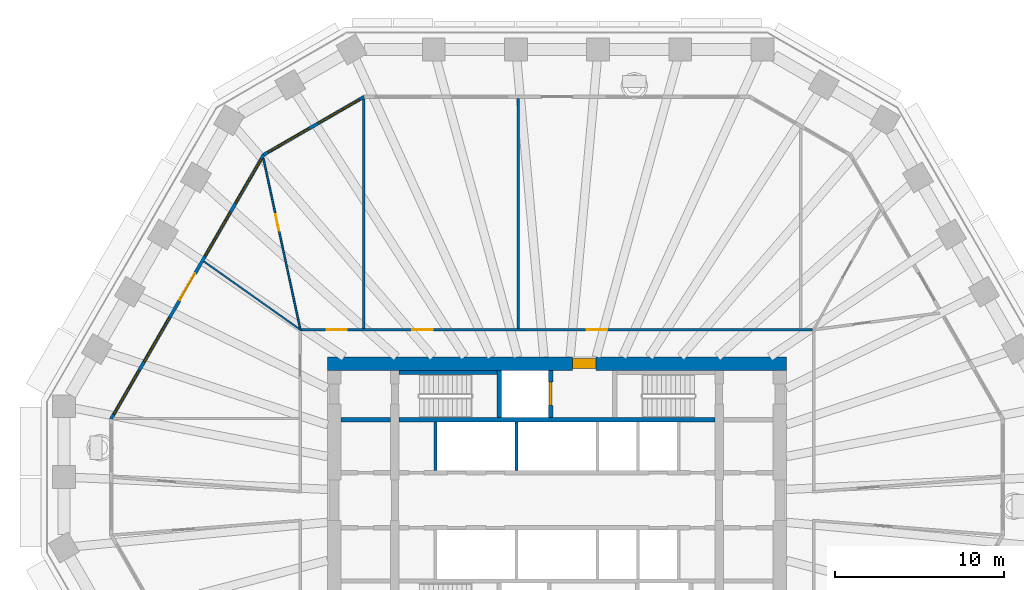
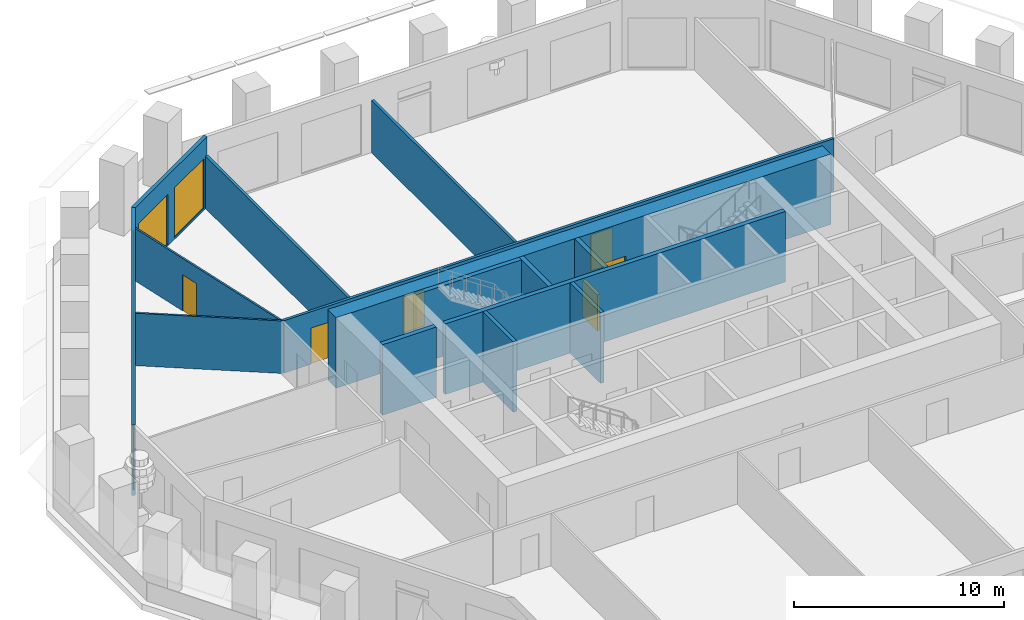
# One storey, part 6 of 12: 15 walls, 7 doors, 7 windows, 14 openings.
"""IFC4 building model written with IfcOpenShell, lengths in metres."""

from ifc_helpers import new_model, si_unit, direction, frame, frame_2d, origin, place, context, subcontext, project, spatial, polyline, rectangle, outline, extrude, material, layer, layer_set, type_object, element, fill, save


model = new_model("IFC4")

# Units and contexts
model_context = context("Model", 3, precision=1e-05, world=origin(), true_north=direction((0.0, 1.0)))
body_context = subcontext(model_context, "Body", "Model", "MODEL_VIEW")
ifc_project = project(units=[si_unit("LENGTHUNIT", "METRE"), si_unit("AREAUNIT", "SQUARE_METRE"), si_unit("VOLUMEUNIT", "CUBIC_METRE"), si_unit("PLANEANGLEUNIT", "RADIAN"), si_unit("MASSUNIT", "GRAM", prefix="KILO")], contexts=[model_context])

# Site, building, storey
site_placement = place(None, origin())
site = spatial("IfcSite", under=ifc_project, at=site_placement, CompositionType="ELEMENT")
building_placement = place(site_placement, origin())
building = spatial("IfcBuilding", under=site, at=building_placement, Name="Frailejon Research Tower", CompositionType="ELEMENT")
storey_placement = place(building_placement, frame((0.0, 0.0, 126.39990234375)))
storey = spatial("IfcBuildingStorey", under=building, at=storey_placement, Name="L27", CompositionType="ELEMENT", Elevation=126.39990234375)

# Wall, opening, door
ifc_material_1 = material(Name="Concrete C70/85", Category="concrete")
ifc_layer_1 = layer(ifc_material_1, 0.800048828125)
ifc_layer_set_1 = layer_set([ifc_layer_1], Name="Core shear wall 800 C70/85")
wall_type_1 = type_object("IfcWallType", Name="Core shear wall 800 C70/85", PredefinedType="SHEAR", material=ifc_layer_set_1)
wall_1_placement = place(storey_placement, frame((-13.60009765625, 8.10009765625, 0.0), z_axis=(0.0, 0.0, 1.0), x_axis=(1.0, 0.0, 0.0)))
wall_1 = element("IfcWall", 1, at=wall_1_placement, inside=storey, type_object=wall_type_1, Name="Core shear wall", PredefinedType="SHEAR", context=body_context, shape_type="SweptSolid", body=[
    extrude(rectangle(XDim=27.2001953125, YDim=0.800048828125, at=frame_2d((13.60009765625, 0.0))), origin(), (0.0, 0.0, 1.0), 4.10009765625),
])
opening_1_placement = place(wall_1_placement, frame((14.52490234375, 0.0, 0.0)))
opening_1 = element("IfcOpeningElement", 2, at=opening_1_placement, cuts=wall_1, Name="Opening D9", PredefinedType="OPENING", context=body_context, shape_type="SweptSolid", body=[
    extrude(rectangle(XDim=1.39990234375, YDim=2.10009765625, at=frame_2d((0.699951171875, 1.050048828125))), frame((0.0, 0.409912109375, 0.0), z_axis=(0.0, -1.0, 0.0), x_axis=(1.0, 0.0, 0.0)), (0.0, 0.0, 1.0), 0.820068359375),
])
ifc_material_2 = material(Name="Steel", Category="steel")
door_type_1 = type_object("IfcDoorType", Name="Goods lobby door", OperationType="DOUBLE_DOOR_SINGLE_SWING", PredefinedType="DOOR", material=ifc_material_2)
door_1_placement = place(opening_1_placement, origin())
door_1 = element("IfcDoor", 3, at=door_1_placement, inside=storey, type_object=door_type_1, Name="Goods lobby door", OperationType="DOUBLE_DOOR_SINGLE_SWING", OverallHeight=2.10009765625, OverallWidth=1.39990234375, PredefinedType="DOOR", context=body_context, shape_type="SweptSolid", body=[
    extrude(rectangle(XDim=1.39990234375, YDim=2.10009765625, at=frame_2d((0.699951171875, 1.050048828125))), frame((0.0, 0.300048828125, 0.0), z_axis=(0.0, -1.0, 0.0), x_axis=(1.0, 0.0, 0.0)), (0.0, 0.0, 1.0), 0.60009765625),
])
fill(opening_1, door_1)

# Wall, openings, doors
ifc_material_3 = material(Name="Gypsum board and masonry partition", Category="masonry")
ifc_layer_2 = layer(ifc_material_3, 0.14990234375)
ifc_layer_set_2 = layer_set([ifc_layer_2], Name="Corridor wall EI 60, gypsum on steel studs 150")
wall_type_2 = type_object("IfcWallType", Name="Corridor wall EI 60, gypsum on steel studs 150", PredefinedType="PARTITIONING", material=ifc_layer_set_2)
wall_2_placement = place(storey_placement, frame((-15.125, 10.10009765625, 0.0), z_axis=(0.0, 0.0, 1.0), x_axis=(1.0, 0.0, 0.0)))
wall_2 = element("IfcWall", 4, at=wall_2_placement, inside=storey, type_object=wall_type_2, Name="T:IW:L27:005", PredefinedType="PARTITIONING", context=body_context, shape_type="SweptSolid", body=[
    extrude(rectangle(XDim=30.25, YDim=0.14990234375, at=frame_2d((15.125, 0.0))), origin(), (0.0, 0.0, 1.0), 3.050048828125),
])
opening_2_placement = place(wall_2_placement, frame((16.895263671875, 0.0, 0.0)))
opening_2 = element("IfcOpeningElement", 5, at=opening_2_placement, cuts=wall_2, Name="Opening D1650", PredefinedType="OPENING", context=body_context, shape_type="SweptSolid", body=[
    extrude(rectangle(XDim=1.199951171875, YDim=2.10009765625, at=frame_2d((0.60009765625, 1.050048828125))), frame((0.0, 0.0849609375, 0.0), z_axis=(0.0, -1.0, 0.0), x_axis=(1.0, 0.0, 0.0)), (0.0, 0.0, 1.0), 0.169921875),
])
opening_3_placement = place(wall_2_placement, frame((6.563720703125, 0.0, 0.0)))
opening_3 = element("IfcOpeningElement", 6, at=opening_3_placement, cuts=wall_2, Name="Opening D1651", PredefinedType="OPENING", context=body_context, shape_type="SweptSolid", body=[
    extrude(rectangle(XDim=1.199951171875, YDim=2.10009765625, at=frame_2d((0.60009765625, 1.050048828125))), frame((0.0, 0.0849609375, 0.0), z_axis=(0.0, -1.0, 0.0), x_axis=(1.0, 0.0, 0.0)), (0.0, 0.0, 1.0), 0.169921875),
])
opening_4_placement = place(wall_2_placement, frame((1.4755859375, 0.0, 0.0)))
opening_4 = element("IfcOpeningElement", 7, at=opening_4_placement, cuts=wall_2, Name="Opening D1652", PredefinedType="OPENING", context=body_context, shape_type="SweptSolid", body=[
    extrude(rectangle(XDim=1.199951171875, YDim=2.10009765625, at=frame_2d((0.60009765625, 1.050048828125))), frame((0.0, 0.0849609375, 0.0), z_axis=(0.0, -1.0, 0.0), x_axis=(1.0, 0.0, 0.0)), (0.0, 0.0, 1.0), 0.169921875),
])
ifc_material_4 = material(Name="Timber door leaf", Category="wood")
door_type_2 = type_object("IfcDoorType", Name="Door laboratory, timber, vision panel 1200", OperationType="NOTDEFINED", PredefinedType="DOOR", material=ifc_material_4)
door_2_placement = place(opening_2_placement, origin())
door_2 = element("IfcDoor", 8, at=door_2_placement, inside=storey, type_object=door_type_2, Name="D1650", OperationType="DOUBLE_DOOR_SINGLE_SWING", OverallHeight=2.10009765625, OverallWidth=1.199951171875, PredefinedType="DOOR", context=body_context, shape_type="SweptSolid", body=[
    extrude(rectangle(XDim=1.199951171875, YDim=2.10009765625, at=frame_2d((0.60009765625, 1.050048828125))), frame((0.0, 0.02490234375, 0.0), z_axis=(0.0, -1.0, 0.0), x_axis=(1.0, 0.0, 0.0)), (0.0, 0.0, 1.0), 0.050048828125),
])
fill(opening_2, door_2)
door_3_placement = place(opening_3_placement, origin())
door_3 = element("IfcDoor", 9, at=door_3_placement, inside=storey, type_object=door_type_2, Name="D1651", OperationType="DOUBLE_DOOR_SINGLE_SWING", OverallHeight=2.10009765625, OverallWidth=1.199951171875, PredefinedType="DOOR", context=body_context, shape_type="SweptSolid", body=[
    extrude(rectangle(XDim=1.199951171875, YDim=2.10009765625, at=frame_2d((0.60009765625, 1.050048828125))), frame((0.0, 0.02490234375, 0.0), z_axis=(0.0, -1.0, 0.0), x_axis=(1.0, 0.0, 0.0)), (0.0, 0.0, 1.0), 0.050048828125),
])
fill(opening_3, door_3)
ifc_material_5 = material(Name="Timber door leaf", Category="wood")
door_type_3 = type_object("IfcDoorType", Name="Door single leaf, timber, steel frame 1200", OperationType="NOTDEFINED", PredefinedType="DOOR", material=ifc_material_5)
door_4_placement = place(opening_4_placement, origin())
door_4 = element("IfcDoor", 10, at=door_4_placement, inside=storey, type_object=door_type_3, Name="D1652", OperationType="DOUBLE_DOOR_SINGLE_SWING", OverallHeight=2.10009765625, OverallWidth=1.199951171875, PredefinedType="DOOR", context=body_context, shape_type="SweptSolid", body=[
    extrude(rectangle(XDim=1.199951171875, YDim=2.10009765625, at=frame_2d((0.60009765625, 1.050048828125))), frame((0.0, 0.02490234375, 0.0), z_axis=(0.0, -1.0, 0.0), x_axis=(1.0, 0.0, 0.0)), (0.0, 0.0, 1.0), 0.050048828125),
])
fill(opening_4, door_4)

# Walls
ifc_material_6 = material(Name="Gypsum board and masonry partition", Category="masonry")
ifc_layer_3 = layer(ifc_material_6, 0.14990234375)
ifc_layer_set_3 = layer_set([ifc_layer_3], Name="Laboratory partition, blockwork 150")
wall_type_3 = type_object("IfcWallType", Name="Laboratory partition, blockwork 150", PredefinedType="PARTITIONING", material=ifc_layer_set_3)
wall_3_placement = place(storey_placement, frame((-2.29052734375, 10.175048828125, 0.0), z_axis=(0.0, 0.0, 1.0), x_axis=(0.0, 1.0, 0.0)))
element("IfcWall", 11, at=wall_3_placement, inside=storey, type_object=wall_type_3, Name="T:IW:L27:013", PredefinedType="PARTITIONING", context=body_context, shape_type="SweptSolid", body=[
    extrude(rectangle(XDim=13.625, YDim=0.14990234375, at=frame_2d((6.8125, 0.0))), origin(), (0.0, 0.0, 1.0), 3.050048828125),
])
wall_4_placement = place(storey_placement, frame((-11.453125, 10.175048828125, 0.0), z_axis=(0.0, 0.0, 1.0), x_axis=(0.0, 1.0, 0.0)))
element("IfcWall", 12, at=wall_4_placement, inside=storey, type_object=wall_type_3, Name="T:IW:L27:014", PredefinedType="PARTITIONING", context=body_context, shape_type="SweptSolid", body=[
    extrude(rectangle(XDim=13.593994140625, YDim=0.14990234375, at=frame_2d((6.796875, 0.0))), origin(), (0.0, 0.0, 1.0), 3.050048828125),
])

# Wall, opening, door
ifc_material_7 = material(Name="Gypsum board and masonry partition", Category="masonry")
ifc_layer_4 = layer(ifc_material_7, 0.10009765625)
ifc_layer_set_4 = layer_set([ifc_layer_4], Name="Partition, gypsum on steel studs 100")
wall_type_4 = type_object("IfcWallType", Name="Partition, gypsum on steel studs 100", PredefinedType="PARTITIONING", material=ifc_layer_set_4)
wall_5_placement = place(storey_placement, frame((-17.39013671875, 20.244873046875, 0.0), z_axis=(0.0, 0.0, 1.0), x_axis=(0.211012362952, -0.977483392535, 0.0)))
wall_5 = element("IfcWall", 13, at=wall_5_placement, inside=storey, type_object=wall_type_4, Name="T:IW:L27:020", PredefinedType="PARTITIONING", context=body_context, shape_type="SweptSolid", body=[
    extrude(rectangle(XDim=10.32861328125, YDim=0.10009765625, at=frame_2d((5.164306640625, 0.0))), origin(), (0.0, 0.0, 1.0), 3.050048828125),
])
opening_5_placement = place(wall_5_placement, frame((3.387451171875, 0.0, 0.0)))
opening_5 = element("IfcOpeningElement", 14, at=opening_5_placement, cuts=wall_5, Name="Opening D1653", PredefinedType="OPENING", context=body_context, shape_type="SweptSolid", body=[
    extrude(rectangle(XDim=1.0, YDim=2.10009765625, at=frame_2d((0.5, 1.050048828125))), frame((0.0, 0.06005859375, 0.0), z_axis=(0.0, -1.0, 0.0), x_axis=(1.0, 0.0, 0.0)), (0.0, 0.0, 1.0), 0.1201171875),
])
ifc_material_8 = material(Name="Timber door leaf", Category="wood")
door_type_4 = type_object("IfcDoorType", Name="Door single leaf, timber, steel frame 1000", OperationType="NOTDEFINED", PredefinedType="DOOR", material=ifc_material_8)
door_5_placement = place(opening_5_placement, origin())
door_5 = element("IfcDoor", 15, at=door_5_placement, inside=storey, type_object=door_type_4, Name="D1653", OperationType="SINGLE_SWING_RIGHT", OverallHeight=2.10009765625, OverallWidth=1.0, PredefinedType="DOOR", context=body_context, shape_type="SweptSolid", body=[
    extrude(rectangle(XDim=1.0, YDim=2.10009765625, at=frame_2d((0.5, 1.050048828125))), frame((0.0, 0.02490234375, 0.0), z_axis=(0.0, -1.0, 0.0), x_axis=(1.0, 0.0, 0.0)), (0.0, 0.0, 1.0), 0.050048828125),
])
fill(opening_5, door_5)

# Walls
wall_6_placement = place(storey_placement, frame((-20.912353515625, 14.144287109375, 0.0), z_axis=(0.0, 0.0, 1.0), x_axis=(0.816149265307, -0.577841134516, 0.0)))
element("IfcWall", 16, at=wall_6_placement, inside=storey, type_object=wall_type_4, Name="T:IW:L27:021", PredefinedType="PARTITIONING", context=body_context, shape_type="SweptSolid", body=[
    extrude(rectangle(XDim=7.073974609375, YDim=0.10009765625, at=frame_2d((3.537109375, 0.0))), origin(), (0.0, 0.0, 1.0), 3.050048828125),
])
ifc_material_9 = material(Name="Concrete C70/85", Category="concrete")
ifc_layer_5 = layer(ifc_material_9, 0.199951171875)
ifc_layer_set_5 = layer_set([ifc_layer_5], Name="Shaft wall 200 C70/85")
wall_type_5 = type_object("IfcWallType", Name="Shaft wall 200 C70/85", PredefinedType="SOLIDWALL", material=ifc_layer_set_5)
for number, where, z_axis, x_axis, name in (
    (17, (-7.199951171875, 1.75, 0.0), (0.0, 0.0, 1.0), (0.0, 1.0, 0.0), "Shaft wall"),
    (18, (-2.39990234375, 1.75, 0.0), (0.0, 0.0, 1.0), (0.0, 1.0, 0.0), "Shaft wall"),
):
    element("IfcWall", number, at=place(storey_placement, frame(where, z_axis=z_axis, x_axis=x_axis)), inside=storey, type_object=wall_type_5, Name=name, PredefinedType="SOLIDWALL", context=body_context, shape_type="SweptSolid", body=[
        extrude(rectangle(XDim=2.89990234375, YDim=0.199951171875, at=frame_2d((1.449951171875, 0.0))), origin(), (0.0, 0.0, 1.0), 4.10009765625),
    ])
ifc_material_10 = material(Name="Concrete C70/85", Category="concrete")
ifc_layer_6 = layer(ifc_material_10, 0.25)
ifc_layer_set_6 = layer_set([ifc_layer_6], Name="Shaft wall 250 C70/85")
wall_type_6 = type_object("IfcWallType", Name="Shaft wall 250 C70/85", PredefinedType="SOLIDWALL", material=ifc_layer_set_6)
wall_7_placement = place(storey_placement, frame((-12.800048828125, 4.77490234375, 0.0), z_axis=(0.0, 0.0, 1.0), x_axis=(1.0, 0.0, 0.0)))
element("IfcWall", 19, at=wall_7_placement, inside=storey, type_object=wall_type_6, Name="Shaft wall", PredefinedType="SOLIDWALL", context=body_context, shape_type="SweptSolid", body=[
    extrude(rectangle(XDim=2.949951171875, YDim=0.25, at=frame_2d((1.47509765625, 0.0))), origin(), (0.0, 0.0, 1.0), 4.10009765625),
])
wall_8_placement = place(storey_placement, frame((-9.35009765625, 4.77490234375, 0.0), z_axis=(0.0, 0.0, 1.0), x_axis=(1.0, 0.0, 0.0)))
element("IfcWall", 20, at=wall_8_placement, inside=storey, type_object=wall_type_6, Name="Shaft wall", PredefinedType="SOLIDWALL", context=body_context, shape_type="SweptSolid", body=[
    extrude(rectangle(XDim=18.7001953125, YDim=0.25, at=frame_2d((9.35009765625, 0.0))), origin(), (0.0, 0.0, 1.0), 4.10009765625),
])
wall_9_placement = place(storey_placement, frame((-9.35009765625, 7.574951171875, 0.0), z_axis=(0.0, 0.0, 1.0), x_axis=(1.0, 0.0, 0.0)))
element("IfcWall", 21, at=wall_9_placement, inside=storey, type_object=wall_type_6, Name="Shaft wall", PredefinedType="SOLIDWALL", context=body_context, shape_type="SweptSolid", body=[
    extrude(rectangle(XDim=5.800048828125, YDim=0.25, at=frame_2d((2.89990234375, 0.0))), origin(), (0.0, 0.0, 1.0), 4.10009765625),
])
wall_10_placement = place(storey_placement, frame((-3.425048828125, 4.89990234375, 0.0), z_axis=(0.0, 0.0, 1.0), x_axis=(0.0, 1.0, 0.0)))
element("IfcWall", 22, at=wall_10_placement, inside=storey, type_object=wall_type_6, Name="Shaft wall", PredefinedType="SOLIDWALL", context=body_context, shape_type="SweptSolid", body=[
    extrude(rectangle(XDim=2.800048828125, YDim=0.25, at=frame_2d((1.39990234375, 0.0))), origin(), (0.0, 0.0, 1.0), 4.10009765625),
])

# Wall, opening, door
wall_11_placement = place(storey_placement, frame((-0.375, 4.89990234375, 0.0), z_axis=(0.0, 0.0, 1.0), x_axis=(0.0, 1.0, 0.0)))
wall_11 = element("IfcWall", 23, at=wall_11_placement, inside=storey, type_object=wall_type_6, Name="Shaft wall", PredefinedType="SOLIDWALL", context=body_context, shape_type="SweptSolid", body=[
    extrude(rectangle(XDim=2.800048828125, YDim=0.25, at=frame_2d((1.39990234375, 0.0))), origin(), (0.0, 0.0, 1.0), 4.10009765625),
])
opening_6_placement = place(wall_11_placement, frame((0.699951171875, 0.0, 0.0)))
opening_6 = element("IfcOpeningElement", 24, at=opening_6_placement, cuts=wall_11, Name="Opening LD2", PredefinedType="OPENING", context=body_context, shape_type="SweptSolid", body=[
    extrude(rectangle(XDim=1.39990234375, YDim=2.10009765625, at=frame_2d((0.699951171875, 1.050048828125))), frame((0.0, 0.135009765625, 0.0), z_axis=(0.0, -1.0, 0.0), x_axis=(1.0, 0.0, 0.0)), (0.0, 0.0, 1.0), 0.27001953125),
])
ifc_material_11 = material(Name="Stainless steel", Category="steel")
door_type_5 = type_object("IfcDoorType", Name="Goods landing door", OperationType="DOUBLE_DOOR_SLIDING", PredefinedType="DOOR", material=ifc_material_11)
door_6_placement = place(opening_6_placement, origin())
door_6 = element("IfcDoor", 25, at=door_6_placement, inside=storey, type_object=door_type_5, Name="Lift landing door", OperationType="DOUBLE_DOOR_SLIDING", OverallHeight=2.10009765625, OverallWidth=1.39990234375, PredefinedType="DOOR", context=body_context, shape_type="SweptSolid", body=[
    extrude(rectangle(XDim=1.39990234375, YDim=2.10009765625, at=frame_2d((0.699951171875, 1.050048828125))), frame((0.0, 0.074951171875, 0.0), z_axis=(0.0, -1.0, 0.0), x_axis=(1.0, 0.0, 0.0)), (0.0, 0.0, 1.0), 0.14990234375),
])
fill(opening_6, door_6)

# Wall, openings, windows
ifc_material_12 = material(Name="Concrete C40/50 precast window wall panel", Category="concrete")
ifc_layer_7 = layer(ifc_material_12, 0.199951171875)
ifc_layer_set_7 = layer_set([ifc_layer_7], Name="Window wall 200")
wall_type_7 = type_object("IfcWallType", Name="Window wall 200", PredefinedType="SOLIDWALL", material=ifc_layer_set_7)
wall_12_placement = place(storey_placement, frame((-11.42626953125, 23.89990234375, 0.0), z_axis=(0.0, 0.0, 1.0), x_axis=(-0.866029458321, -0.49999297727, 0.0)))
wall_12 = element("IfcWall", 26, at=wall_12_placement, inside=storey, type_object=wall_type_7, Name="Exterior wall L27", PredefinedType="SOLIDWALL", context=body_context, shape_type="SweptSolid", body=[
    extrude(outline(polyline([(-0.02685546875, -0.10009765625), (1.1279296875, -0.10009765625), (2.282470703125, -0.10009765625), (3.437255859375, -0.10009765625), (4.592041015625, -0.10009765625), (5.74658203125, -0.10009765625), (6.9013671875, -0.10009765625), (6.84765625, 0.10009765625), (5.7109375, 0.10009765625), (4.573974609375, 0.10009765625), (3.437255859375, 0.10009765625), (2.300537109375, 0.10009765625), (1.16357421875, 0.10009765625), (0.02685546875, 0.10009765625), (-0.02685546875, -0.10009765625)])), origin(), (0.0, 0.0, 1.0), 4.10009765625),
])
opening_7_placement = place(wall_12_placement, frame((0.318603515625, 0.0, 0.10009765625)))
opening_7 = element("IfcOpeningElement", 27, at=opening_7_placement, cuts=wall_12, Name="Opening W3", PredefinedType="OPENING", context=body_context, shape_type="SweptSolid", body=[
    extrude(rectangle(XDim=2.800048828125, YDim=2.89990234375, at=frame_2d((1.39990234375, 1.449951171875))), frame((0.0, 0.10986328125, 0.0), z_axis=(0.0, -1.0, 0.0), x_axis=(1.0, 0.0, 0.0)), (0.0, 0.0, 1.0), 0.219970703125),
])
opening_8_placement = place(wall_12_placement, frame((3.756103515625, 0.0, 0.10009765625)))
opening_8 = element("IfcOpeningElement", 28, at=opening_8_placement, cuts=wall_12, Name="Opening W3", PredefinedType="OPENING", context=body_context, shape_type="SweptSolid", body=[
    extrude(rectangle(XDim=2.800048828125, YDim=2.89990234375, at=frame_2d((1.39990234375, 1.449951171875))), frame((0.0, 0.10986328125, 0.0), z_axis=(0.0, -1.0, 0.0), x_axis=(1.0, 0.0, 0.0)), (0.0, 0.0, 1.0), 0.219970703125),
])
ifc_material_13 = material(Name="Aluminium framed double glazing", Category="aluminium")
window_type_1 = type_object("IfcWindowType", Name="Window 2800x2900", PartitioningType="SINGLE_PANEL", PredefinedType="WINDOW", material=ifc_material_13)
window_1_placement = place(opening_7_placement, origin())
window_1 = element("IfcWindow", 29, at=window_1_placement, inside=storey, type_object=window_type_1, Name="Window L27", OverallHeight=2.89990234375, OverallWidth=2.800048828125, PartitioningType="SINGLE_PANEL", PredefinedType="WINDOW", context=body_context, shape_type="SweptSolid", body=[
    extrude(rectangle(XDim=2.800048828125, YDim=2.89990234375, at=frame_2d((1.39990234375, 1.449951171875))), frame((0.0, 0.030029296875, 0.0), z_axis=(0.0, -1.0, 0.0), x_axis=(1.0, 0.0, 0.0)), (0.0, 0.0, 1.0), 0.06005859375),
])
fill(opening_7, window_1)
window_2_placement = place(opening_8_placement, origin())
window_2 = element("IfcWindow", 30, at=window_2_placement, inside=storey, type_object=window_type_1, Name="Window L27", OverallHeight=2.89990234375, OverallWidth=2.800048828125, PartitioningType="SINGLE_PANEL", PredefinedType="WINDOW", context=body_context, shape_type="SweptSolid", body=[
    extrude(rectangle(XDim=2.800048828125, YDim=2.89990234375, at=frame_2d((1.39990234375, 1.449951171875))), frame((0.0, 0.030029296875, 0.0), z_axis=(0.0, -1.0, 0.0), x_axis=(1.0, 0.0, 0.0)), (0.0, 0.0, 1.0), 0.06005859375),
])
fill(opening_8, window_2)

# Wall, openings, door, windows
wall_13_placement = place(storey_placement, frame((-17.3798828125, 20.462646484375, 0.0), z_axis=(0.0, 0.0, 1.0), x_axis=(-0.500000137386, -0.866025324465, 0.0)))
wall_13 = element("IfcWall", 31, at=wall_13_placement, inside=storey, type_object=wall_type_7, Name="Exterior wall L27", PredefinedType="SOLIDWALL", context=body_context, shape_type="SweptSolid", body=[
    extrude(outline(polyline([(-0.02685546875, -0.10009765625), (0.9794921875, -0.10009765625), (1.986083984375, -0.10009765625), (2.992431640625, -0.10009765625), (3.9990234375, -0.10009765625), (5.00537109375, -0.10009765625), (6.011962890625, -0.10009765625), (7.018310546875, -0.10009765625), (8.02490234375, -0.10009765625), (9.03125, -0.10009765625), (10.03759765625, -0.10009765625), (11.044189453125, -0.10009765625), (12.050537109375, -0.10009765625), (13.05712890625, -0.10009765625), (14.0634765625, -0.10009765625), (15.070068359375, -0.10009765625), (16.076416015625, -0.10009765625), (17.0830078125, -0.10009765625), (18.08935546875, -0.10009765625), (18.03564453125, 0.10009765625), (17.03515625, 0.10009765625), (16.03466796875, 0.10009765625), (15.0341796875, 0.10009765625), (14.03369140625, 0.10009765625), (13.033203125, 0.10009765625), (12.03271484375, 0.10009765625), (11.0322265625, 0.10009765625), (10.03173828125, 0.10009765625), (9.03125, 0.10009765625), (8.03076171875, 0.10009765625), (7.0302734375, 0.10009765625), (6.02978515625, 0.10009765625), (5.029296875, 0.10009765625), (4.02880859375, 0.10009765625), (3.0283203125, 0.10009765625), (2.02783203125, 0.10009765625), (1.02734375, 0.10009765625), (0.02685546875, 0.10009765625), (-0.02685546875, -0.10009765625)])), origin(), (0.0, 0.0, 1.0), 4.10009765625),
])
opening_9_placement = place(wall_13_placement, frame((0.306396484375, 0.0, 0.10009765625)))
opening_9 = element("IfcOpeningElement", 32, at=opening_9_placement, cuts=wall_13, Name="Opening W4", PredefinedType="OPENING", context=body_context, shape_type="SweptSolid", body=[
    extrude(rectangle(XDim=3.0, YDim=2.89990234375, at=frame_2d((1.5, 1.449951171875))), frame((0.0, 0.10986328125, 0.0), z_axis=(0.0, -1.0, 0.0), x_axis=(1.0, 0.0, 0.0)), (0.0, 0.0, 1.0), 0.219970703125),
])
opening_10_placement = place(wall_13_placement, frame((3.918701171875, 0.0, 0.10009765625)))
opening_10 = element("IfcOpeningElement", 33, at=opening_10_placement, cuts=wall_13, Name="Opening W4", PredefinedType="OPENING", context=body_context, shape_type="SweptSolid", body=[
    extrude(rectangle(XDim=3.0, YDim=2.89990234375, at=frame_2d((1.5, 1.449951171875))), frame((0.0, 0.10986328125, 0.0), z_axis=(0.0, -1.0, 0.0), x_axis=(1.0, 0.0, 0.0)), (0.0, 0.0, 1.0), 0.219970703125),
])
opening_11_placement = place(wall_13_placement, frame((8.13134765625, 0.0, 0.0)))
opening_11 = element("IfcOpeningElement", 34, at=opening_11_placement, cuts=wall_13, Name="Opening LG27-3", PredefinedType="OPENING", context=body_context, shape_type="SweptSolid", body=[
    extrude(rectangle(XDim=1.800048828125, YDim=2.39990234375, at=frame_2d((0.89990234375, 1.199951171875))), frame((0.0, 0.10986328125, 0.0), z_axis=(0.0, -1.0, 0.0), x_axis=(1.0, 0.0, 0.0)), (0.0, 0.0, 1.0), 0.219970703125),
])
opening_12_placement = place(wall_13_placement, frame((8.13134765625, 0.0, 2.550048828125)))
opening_12 = element("IfcOpeningElement", 35, at=opening_12_placement, cuts=wall_13, Name="Opening W1", PredefinedType="OPENING", context=body_context, shape_type="SweptSolid", body=[
    extrude(rectangle(XDim=1.800048828125, YDim=0.449951171875, at=frame_2d((0.89990234375, 0.22509765625))), frame((0.0, 0.10986328125, 0.0), z_axis=(0.0, -1.0, 0.0), x_axis=(1.0, 0.0, 0.0)), (0.0, 0.0, 1.0), 0.219970703125),
])
opening_13_placement = place(wall_13_placement, frame((11.143798828125, 0.0, 0.10009765625)))
opening_13 = element("IfcOpeningElement", 36, at=opening_13_placement, cuts=wall_13, Name="Opening W4", PredefinedType="OPENING", context=body_context, shape_type="SweptSolid", body=[
    extrude(rectangle(XDim=3.0, YDim=2.89990234375, at=frame_2d((1.5, 1.449951171875))), frame((0.0, 0.10986328125, 0.0), z_axis=(0.0, -1.0, 0.0), x_axis=(1.0, 0.0, 0.0)), (0.0, 0.0, 1.0), 0.219970703125),
])
opening_14_placement = place(wall_13_placement, frame((14.75634765625, 0.0, 0.10009765625)))
opening_14 = element("IfcOpeningElement", 37, at=opening_14_placement, cuts=wall_13, Name="Opening W4", PredefinedType="OPENING", context=body_context, shape_type="SweptSolid", body=[
    extrude(rectangle(XDim=3.0, YDim=2.89990234375, at=frame_2d((1.5, 1.449951171875))), frame((0.0, 0.10986328125, 0.0), z_axis=(0.0, -1.0, 0.0), x_axis=(1.0, 0.0, 0.0)), (0.0, 0.0, 1.0), 0.219970703125),
])
ifc_material_14 = material(Name="Aluminium framed glazed door leaf", Category="aluminium")
door_type_6 = type_object("IfcDoorType", Name="Loggia door 1800x2400", OperationType="DOUBLE_DOOR_SINGLE_SWING", PredefinedType="DOOR", material=ifc_material_14)
door_7_placement = place(opening_11_placement, origin())
door_7 = element("IfcDoor", 38, at=door_7_placement, inside=storey, type_object=door_type_6, Name="Door LG27-3", OperationType="DOUBLE_DOOR_SINGLE_SWING", OverallHeight=2.39990234375, OverallWidth=1.800048828125, PredefinedType="DOOR", context=body_context, shape_type="SweptSolid", body=[
    extrude(rectangle(XDim=1.800048828125, YDim=2.39990234375, at=frame_2d((0.89990234375, 1.199951171875))), frame((0.0, 0.02490234375, 0.0), z_axis=(0.0, -1.0, 0.0), x_axis=(1.0, 0.0, 0.0)), (0.0, 0.0, 1.0), 0.050048828125),
])
fill(opening_11, door_7)
ifc_material_15 = material(Name="Aluminium framed double glazing", Category="aluminium")
window_type_2 = type_object("IfcWindowType", Name="Window 1800x450", PartitioningType="SINGLE_PANEL", PredefinedType="WINDOW", material=ifc_material_15)
window_3_placement = place(opening_12_placement, origin())
window_3 = element("IfcWindow", 39, at=window_3_placement, inside=storey, type_object=window_type_2, Name="Window L27", OverallHeight=0.449951171875, OverallWidth=1.800048828125, PartitioningType="SINGLE_PANEL", PredefinedType="WINDOW", context=body_context, shape_type="SweptSolid", body=[
    extrude(rectangle(XDim=1.800048828125, YDim=0.449951171875, at=frame_2d((0.89990234375, 0.22509765625))), frame((0.0, 0.030029296875, 0.0), z_axis=(0.0, -1.0, 0.0), x_axis=(1.0, 0.0, 0.0)), (0.0, 0.0, 1.0), 0.06005859375),
])
fill(opening_12, window_3)
ifc_material_16 = material(Name="Aluminium framed double glazing", Category="aluminium")
window_type_3 = type_object("IfcWindowType", Name="Window 3000x2900", PartitioningType="SINGLE_PANEL", PredefinedType="WINDOW", material=ifc_material_16)
window_4_placement = place(opening_9_placement, origin())
window_4 = element("IfcWindow", 40, at=window_4_placement, inside=storey, type_object=window_type_3, Name="Window L27", OverallHeight=2.89990234375, OverallWidth=3.0, PartitioningType="SINGLE_PANEL", PredefinedType="WINDOW", context=body_context, shape_type="SweptSolid", body=[
    extrude(rectangle(XDim=3.0, YDim=2.89990234375, at=frame_2d((1.5, 1.449951171875))), frame((0.0, 0.030029296875, 0.0), z_axis=(0.0, -1.0, 0.0), x_axis=(1.0, 0.0, 0.0)), (0.0, 0.0, 1.0), 0.06005859375),
])
fill(opening_9, window_4)
window_5_placement = place(opening_10_placement, origin())
window_5 = element("IfcWindow", 41, at=window_5_placement, inside=storey, type_object=window_type_3, Name="Window L27", OverallHeight=2.89990234375, OverallWidth=3.0, PartitioningType="SINGLE_PANEL", PredefinedType="WINDOW", context=body_context, shape_type="SweptSolid", body=[
    extrude(rectangle(XDim=3.0, YDim=2.89990234375, at=frame_2d((1.5, 1.449951171875))), frame((0.0, 0.030029296875, 0.0), z_axis=(0.0, -1.0, 0.0), x_axis=(1.0, 0.0, 0.0)), (0.0, 0.0, 1.0), 0.06005859375),
])
fill(opening_10, window_5)
window_6_placement = place(opening_13_placement, origin())
window_6 = element("IfcWindow", 42, at=window_6_placement, inside=storey, type_object=window_type_3, Name="Window L27", OverallHeight=2.89990234375, OverallWidth=3.0, PartitioningType="SINGLE_PANEL", PredefinedType="WINDOW", context=body_context, shape_type="SweptSolid", body=[
    extrude(rectangle(XDim=3.0, YDim=2.89990234375, at=frame_2d((1.5, 1.449951171875))), frame((0.0, 0.030029296875, 0.0), z_axis=(0.0, -1.0, 0.0), x_axis=(1.0, 0.0, 0.0)), (0.0, 0.0, 1.0), 0.06005859375),
])
fill(opening_13, window_6)
window_7_placement = place(opening_14_placement, origin())
window_7 = element("IfcWindow", 43, at=window_7_placement, inside=storey, type_object=window_type_3, Name="Window L27", OverallHeight=2.89990234375, OverallWidth=3.0, PartitioningType="SINGLE_PANEL", PredefinedType="WINDOW", context=body_context, shape_type="SweptSolid", body=[
    extrude(rectangle(XDim=3.0, YDim=2.89990234375, at=frame_2d((1.5, 1.449951171875))), frame((0.0, 0.030029296875, 0.0), z_axis=(0.0, -1.0, 0.0), x_axis=(1.0, 0.0, 0.0)), (0.0, 0.0, 1.0), 0.06005859375),
])
fill(opening_14, window_7)

save(model, "model.ifc")
